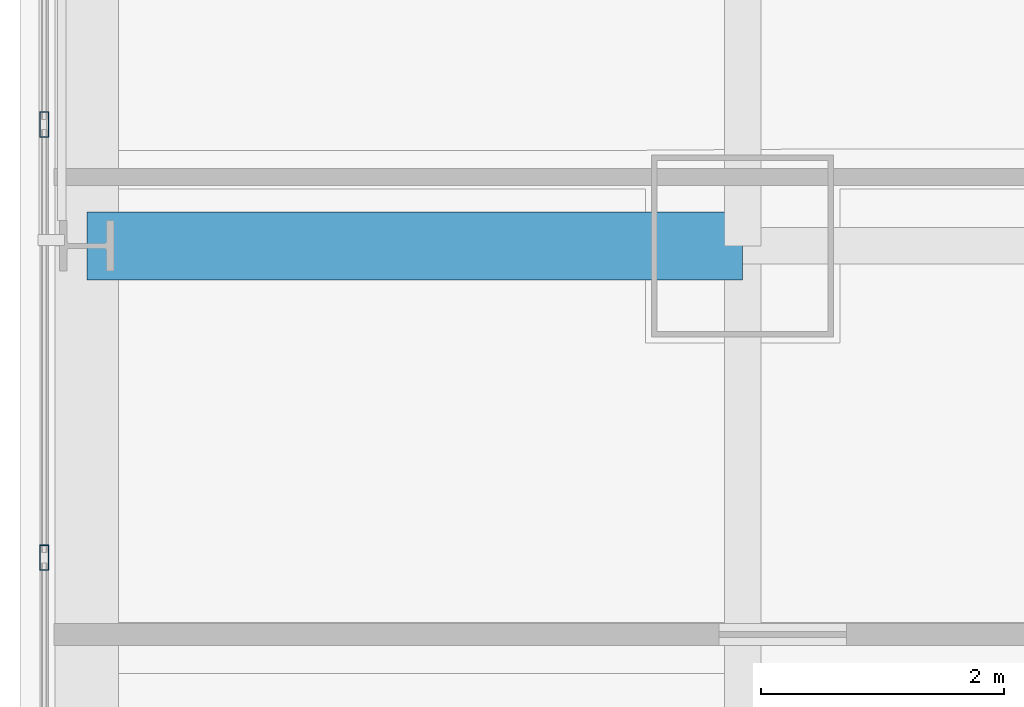
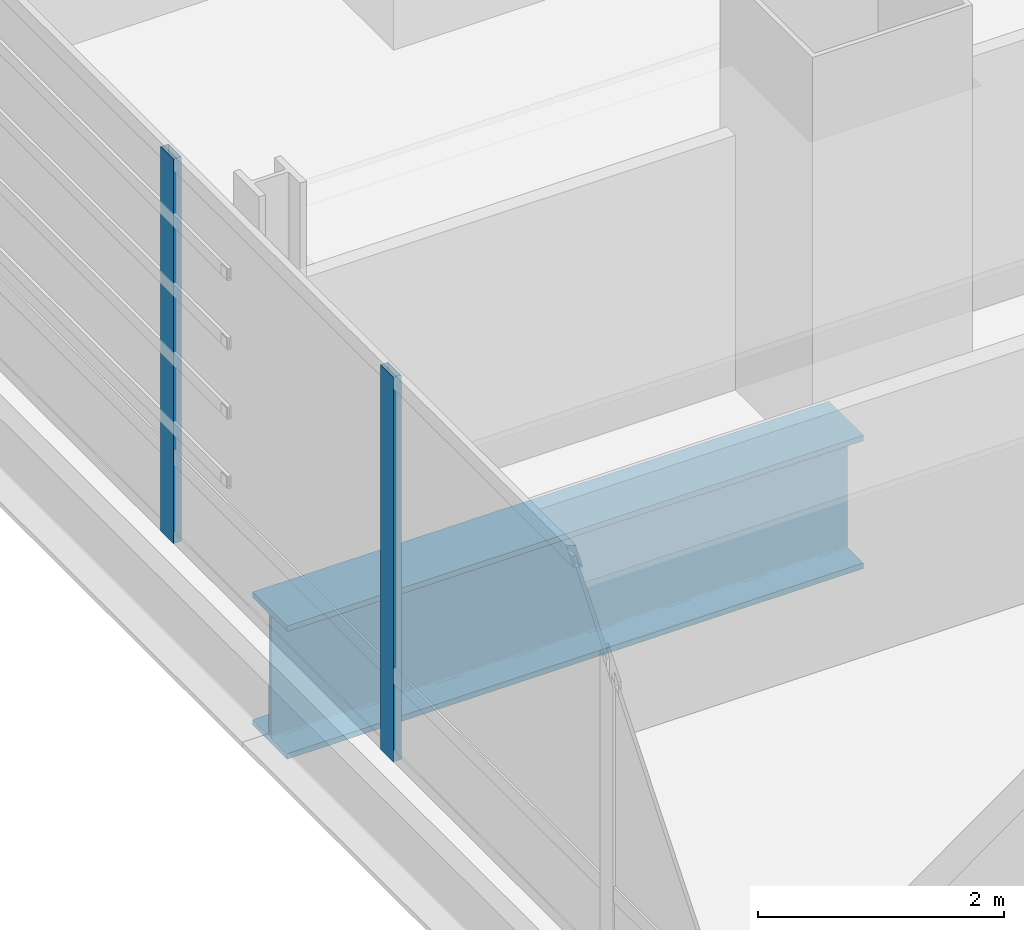
# One storey, part 9 of 36: 2 members, 1 beam, 1 element without a shape of its own.
"""IFC4 building model written with IfcOpenShell, lengths in metres."""

import ifcopenshell
import ifcopenshell.guid

model = None  # the IFC model being written
_history = None  # IfcOwnerHistory: only IFC2X3 demands one
_inside = {}  # id of a spatial element -> (the spatial element, [elements in it])
_under = {}  # id of a project, library or spatial element -> (it, [spatial elements below it])
_declared = {}  # id of a project -> (the project, [libraries it declares])
_typed = {}  # id of a type object -> (the type object, [elements of that type])
_made_of = {}  # id of a material, layer set ... -> (it, [elements and type objects made of it])


def new_model(schema):
    """Start an empty IFC model of exactly this schema.

    Asked for "IFC4X3", IfcOpenShell would pick the latest addendum, in which some entities
    have other attributes; the version numbers below select the first issue.
    IFC2X3 requires an IfcOwnerHistory on every rooted entity: one is made here for all.
    """
    global model, _history
    if schema == "IFC4X3":
        model = ifcopenshell.file(schema_version=(4, 3, 0, 0))
    else:
        model = ifcopenshell.file(schema=schema)
    _inside.clear()
    _under.clear()
    _declared.clear()
    _typed.clear()
    _made_of.clear()
    _history = None
    if model.schema == "IFC2X3":
        org = make("IfcOrganization", Name="unknown")
        user = make(
            "IfcPersonAndOrganization",
            ThePerson=make("IfcPerson", FamilyName="unknown"),
            TheOrganization=org,
        )
        app = make(
            "IfcApplication",
            ApplicationDeveloper=org,
            Version="unknown",
            ApplicationFullName="unknown",
            ApplicationIdentifier="unknown",
        )
        _history = make(
            "IfcOwnerHistory",
            OwningUser=user,
            OwningApplication=app,
            ChangeAction="ADDED",
            CreationDate=0,
        )
    return model


def make(cls, **values):
    """One entity of the class cls with the attributes given. An attribute that is None is left unset."""
    return model.create_entity(
        cls, **{name: value for name, value in values.items() if value is not None}
    )


def rooted(cls, **values):
    """An entity with a GlobalId (a new one), such as an element, a storey or a relation."""
    return make(cls, GlobalId=ifcopenshell.guid.new(), OwnerHistory=_history, **values)


def si_unit(unit_type, name, prefix=None):
    """IfcSIUnit, for example si_unit("LENGTHUNIT", "METRE", prefix="MILLI")."""
    return make("IfcSIUnit", UnitType=unit_type, Prefix=prefix, Name=name)


def assignment(units):
    """IfcUnitAssignment: the units of a project."""
    return None if units is None else make("IfcUnitAssignment", Units=units)


def point(xyz):
    """IfcCartesianPoint."""
    return None if xyz is None else make("IfcCartesianPoint", Coordinates=xyz)


def direction(xyz):
    """IfcDirection."""
    return None if xyz is None else make("IfcDirection", DirectionRatios=xyz)


def frame(location, z_axis=None, x_axis=None):
    """IfcAxis2Placement3D, a coordinate frame: its origin and axes. An axis left out is left unset."""
    return make(
        "IfcAxis2Placement3D",
        Location=point(location),
        Axis=direction(z_axis),
        RefDirection=direction(x_axis),
    )


def frame_2d(location, x_axis=None):
    """IfcAxis2Placement2D, a coordinate frame in the plane: its origin and x axis."""
    return make(
        "IfcAxis2Placement2D", Location=point(location), RefDirection=direction(x_axis)
    )


def origin():
    """The frame at (0, 0, 0) with its axes left unset."""
    return frame((0.0, 0.0, 0.0))


def origin_2d():
    """The frame at (0, 0) in the plane with its x axis left unset."""
    return frame_2d((0.0, 0.0))


def place(relative_to, where):
    """IfcLocalPlacement: puts the frame where relative to a parent placement (None: the world)."""
    return make(
        "IfcLocalPlacement", PlacementRelTo=relative_to, RelativePlacement=where
    )


def context(
    kind, dimensions, precision=None, world=None, true_north=None, identifier=None
):
    """IfcGeometricRepresentationContext, for example the 3D "Model" context."""
    return make(
        "IfcGeometricRepresentationContext",
        ContextIdentifier=identifier,
        ContextType=kind,
        CoordinateSpaceDimension=dimensions,
        Precision=precision,
        WorldCoordinateSystem=world,
        TrueNorth=true_north,
    )


def subcontext(parent, identifier, kind, view, scale=None):
    """IfcGeometricRepresentationSubContext, for example "Body" below "Model"."""
    return make(
        "IfcGeometricRepresentationSubContext",
        ContextIdentifier=identifier,
        ContextType=kind,
        ParentContext=parent,
        TargetScale=scale,
        TargetView=view,
    )


def project(units=None, contexts=None):
    """IfcProject with its units and contexts."""
    return rooted(
        "IfcProject",
        Name="project",
        RepresentationContexts=contexts,
        UnitsInContext=assignment(units),
    )


def spatial(cls, under=None, at=None, **own):
    """A site, building, storey or space (cls), placed at a placement, below another one or the project."""
    s = rooted(cls, ObjectPlacement=at, **own)
    if under is not None:
        _under.setdefault(under.id(), (under, []))[1].append(s)
    return s


def profile(cls, at=None, kind="AREA", **sizes):
    """A parametric profile (cls). Its sizes go by their IFC names, for example OverallWidth=200.0."""
    return make(cls, ProfileType=kind, Position=at, **sizes)


def hollow_rectangle(**sizes):
    """IfcRectangleHollowProfileDef."""
    return profile("IfcRectangleHollowProfileDef", **sizes)


def i_section(**sizes):
    """IfcIShapeProfileDef."""
    return profile("IfcIShapeProfileDef", **sizes)


def extrude(swept, where, along, depth):
    """IfcExtrudedAreaSolid: the profile swept, set in the frame where, extruded along a direction by depth."""
    return make(
        "IfcExtrudedAreaSolid",
        SweptArea=swept,
        Position=where,
        ExtrudedDirection=direction(along),
        Depth=depth,
    )


def shape(context_of_items, identifier, shape_type, items):
    """IfcShapeRepresentation: the items that make up one representation, for example the "Body"."""
    return make(
        "IfcShapeRepresentation",
        ContextOfItems=context_of_items,
        RepresentationIdentifier=identifier,
        RepresentationType=shape_type,
        Items=items,
    )


def material(Name=None, Category=None):
    """IfcMaterial."""
    return make("IfcMaterial", Name=Name, Category=Category)


def material_profile(
    of_material, cross_section, Name=None, Category=None, Priority=None
):
    """IfcMaterialProfile: a cross section and its material."""
    return make(
        "IfcMaterialProfile",
        Name=Name,
        Material=of_material,
        Profile=cross_section,
        Priority=Priority,
        Category=Category,
    )


def profile_set(profiles, Name=None, composite=None):
    """IfcMaterialProfileSet."""
    return make(
        "IfcMaterialProfileSet",
        Name=Name,
        MaterialProfiles=profiles,
        CompositeProfile=composite,
    )


def made_of(thing, what):
    """Note that an element or type object is made of a material, layer set ...; save() writes the relation."""
    if what is not None:
        _made_of.setdefault(what.id(), (what, []))[1].append(thing)
    return thing


def type_object(cls, material=None, **own):
    """A type object (cls), such as IfcWallType, which elements share."""
    return made_of(rooted(cls, **own), material)


def element(
    cls,
    number,
    at=None,
    inside=None,
    cuts=None,
    type_object=None,
    material=None,
    context=None,
    identifier="Body",
    shape_type=None,
    held_by="IfcProductDefinitionShape",
    body=None,
    shapes=None,
    **own,
):
    """One element of the class cls, such as IfcWall. Its Tag is "e" and its number.

    at: its placement. inside: the storey or other place that contains it. cuts: it is an
    opening in that element (IfcRelVoidsElement). A single representation is given by context,
    identifier, shape_type and body (its items); several are given by shapes. held_by: the class
    of the entity that holds the representations. save() writes the other relations.
    """
    e = rooted(cls, Tag="e%d" % number, ObjectPlacement=at, **own)
    if body is not None:
        shapes = [shape(context, identifier, shape_type, body)]
    if shapes is not None:
        e.Representation = make(held_by, Representations=shapes)
    if inside is not None:
        _inside.setdefault(inside.id(), (inside, []))[1].append(e)
    if cuts is not None:
        rooted(
            "IfcRelVoidsElement", RelatingBuildingElement=cuts, RelatedOpeningElement=e
        )
    if type_object is not None:
        _typed.setdefault(type_object.id(), (type_object, []))[1].append(e)
    return made_of(e, material)


def aggregate(whole, parts):
    """IfcRelAggregates: a whole, such as a stair, and the parts it consists of."""
    return rooted("IfcRelAggregates", RelatingObject=whole, RelatedObjects=parts)


def save(model, path):
    """Write the relations noted so far, then the file.

    IfcRelAggregates (storeys below a building ...), IfcRelContainedInSpatialStructure (elements
    in a storey), IfcRelDefinesByType, IfcRelAssociatesMaterial and IfcRelDeclares: one each for
    every whole, place, type object, material and project.
    """
    for whole, parts in _under.values():
        aggregate(whole, parts)
    for where, things in _inside.values():
        rooted(
            "IfcRelContainedInSpatialStructure",
            RelatedElements=things,
            RelatingStructure=where,
        )
    for kind, things in _typed.values():
        rooted("IfcRelDefinesByType", RelatedObjects=things, RelatingType=kind)
    for what, things in _made_of.values():
        rooted("IfcRelAssociatesMaterial", RelatedObjects=things, RelatingMaterial=what)
    for by, libraries in _declared.values():
        rooted("IfcRelDeclares", RelatingContext=by, RelatedDefinitions=libraries)
    model.write(path)


model = new_model("IFC4")

# Units and contexts
model_context = context("Model", 3, precision=1e-05, world=origin(), true_north=direction((0.0, 1.0)))
body_context = subcontext(model_context, "Body", "Model", "MODEL_VIEW")
ifc_project = project(units=[si_unit("LENGTHUNIT", "METRE"), si_unit("AREAUNIT", "SQUARE_METRE"), si_unit("VOLUMEUNIT", "CUBIC_METRE"), si_unit("PLANEANGLEUNIT", "RADIAN"), si_unit("MASSUNIT", "GRAM", prefix="KILO")], contexts=[model_context])

# Site, building, storey
site_placement = place(None, origin())
site = spatial("IfcSite", under=ifc_project, at=site_placement, CompositionType="ELEMENT")
building_placement = place(site_placement, origin())
building = spatial("IfcBuilding", under=site, at=building_placement, Name="Punatoya Terracotta Tower", CompositionType="ELEMENT")
storey_placement = place(building_placement, frame((0.0, 0.0, 48.449951171875)))
storey = spatial("IfcBuildingStorey", under=building, at=storey_placement, Name="L10", CompositionType="ELEMENT", Elevation=48.449951171875)

# Beam
ifc_material_1 = material(Name="Steel S460", Category="steel")
ifc_material_profile_1 = material_profile(ifc_material_1, i_section(OverallWidth=0.56005859375, OverallDepth=1.320068359375, WebThickness=0.035888671875, FlangeThickness=0.054931640625, FilletRadius=0.01806640625, at=origin_2d()))
ifc_profile_set_1 = profile_set([ifc_material_profile_1], Name="Steel S460")
beam_type = type_object("IfcBeamType", Name="BM-TG-BLK", PredefinedType="BEAM", material=ifc_profile_set_1)
beam_placement = place(storey_placement, frame((-24.5, -3.39990234375, -0.89990234375), z_axis=(1.0, 0.0, 0.0), x_axis=(0.0, 1.0, 0.0)))
element("IfcBeam", 1, at=beam_placement, inside=storey, type_object=beam_type, Name="BM-L10-CANT-W2", PredefinedType="BEAM", context=body_context, shape_type="SweptSolid", body=[
    extrude(i_section(OverallWidth=0.56005859375, OverallDepth=1.320068359375, WebThickness=0.035888671875, FlangeThickness=0.054931640625, FilletRadius=0.01806640625, at=origin_2d()), origin(), (0.0, 0.0, 1.0), 5.39990234375),
])

# Curtain wall, members
ifc_material_2 = material(Name="Aluminium 6063-T6 + Double Low-E Glass", Category="aluminium")
curtain_wall_type = type_object("IfcCurtainWallType", Name="CW-M1", PredefinedType="NOTDEFINED", material=ifc_material_2)
curtain_wall_placement = place(storey_placement, origin())
curtain_wall = element("IfcCurtainWall", 2, at=curtain_wall_placement, inside=storey, type_object=curtain_wall_type, Name="L10 Curtain Wall CW-L10-W13-1", PredefinedType="NOTDEFINED")
ifc_material_3 = material(Name="Aluminium 6063-T6", Category="aluminium")
ifc_material_profile_2 = material_profile(ifc_material_3, hollow_rectangle(XDim=0.074951171875, YDim=0.2099609375, WallThickness=0.00439453125, at=origin_2d()))
ifc_profile_set_2 = profile_set([ifc_material_profile_2], Name="Aluminium 6063-T6")
member_type = type_object("IfcMemberType", Name="CW-MUL-M1", PredefinedType="MULLION", material=ifc_profile_set_2)
member_1_placement = place(storey_placement, frame((-24.85009765625, -2.39990234375, 0.0), z_axis=(0.0, 0.0, 1.0), x_axis=(1.0, 0.0, 0.0)))
member_1 = element("IfcMember", 3, at=member_1_placement, type_object=member_type, Name="CW-L10-W13-1 Mullion 05", PredefinedType="MULLION", context=body_context, shape_type="SweptSolid", body=[
    extrude(hollow_rectangle(XDim=0.074951171875, YDim=0.2099609375, WallThickness=0.00439453125, at=origin_2d()), origin(), (0.0, 0.0, 1.0), 3.81005859375),
])
member_2_placement = place(storey_placement, frame((-24.85009765625, -5.96728515625, 0.0), z_axis=(0.0, 0.0, 1.0), x_axis=(1.0, 0.0, 0.0)))
member_2 = element("IfcMember", 4, at=member_2_placement, type_object=member_type, Name="CW-L10-W13-1 Mullion 06", PredefinedType="MULLION", context=body_context, shape_type="SweptSolid", body=[
    extrude(hollow_rectangle(XDim=0.074951171875, YDim=0.2099609375, WallThickness=0.00439453125, at=origin_2d()), origin(), (0.0, 0.0, 1.0), 3.81005859375),
])
aggregate(curtain_wall, [member_1, member_2])

save(model, "model.ifc")
